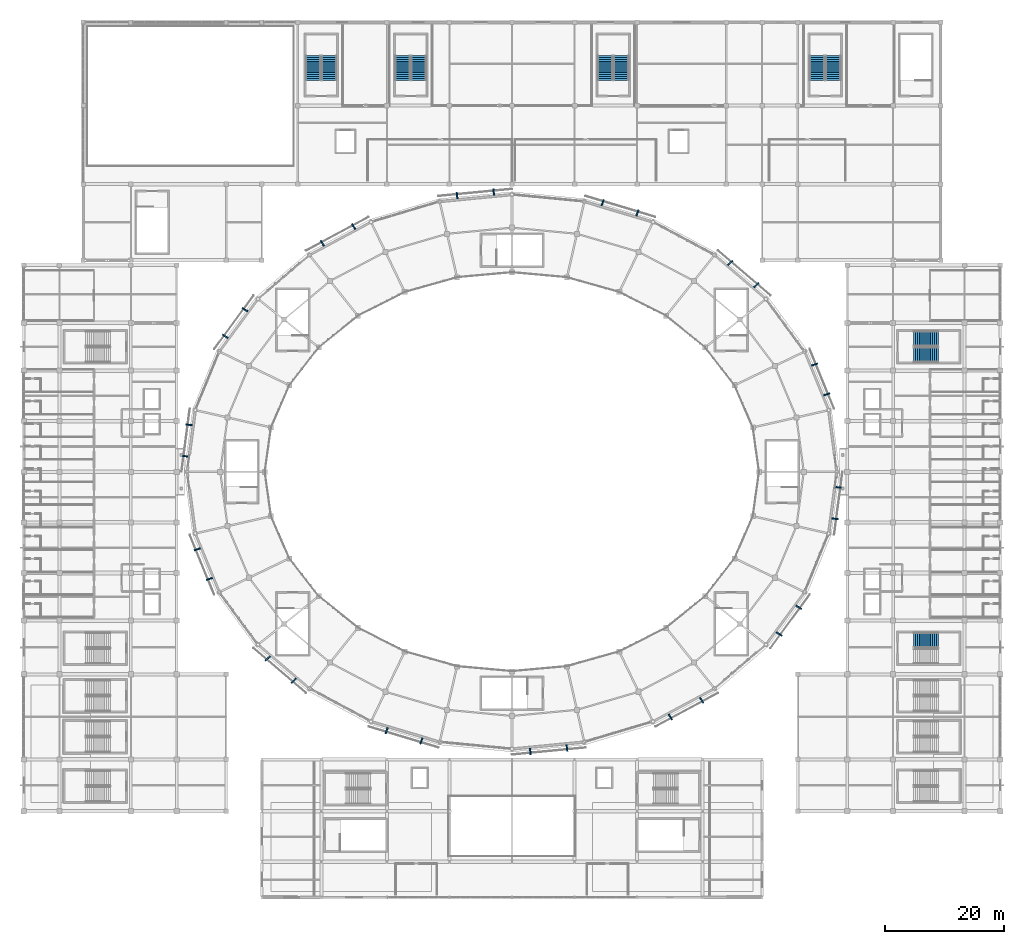
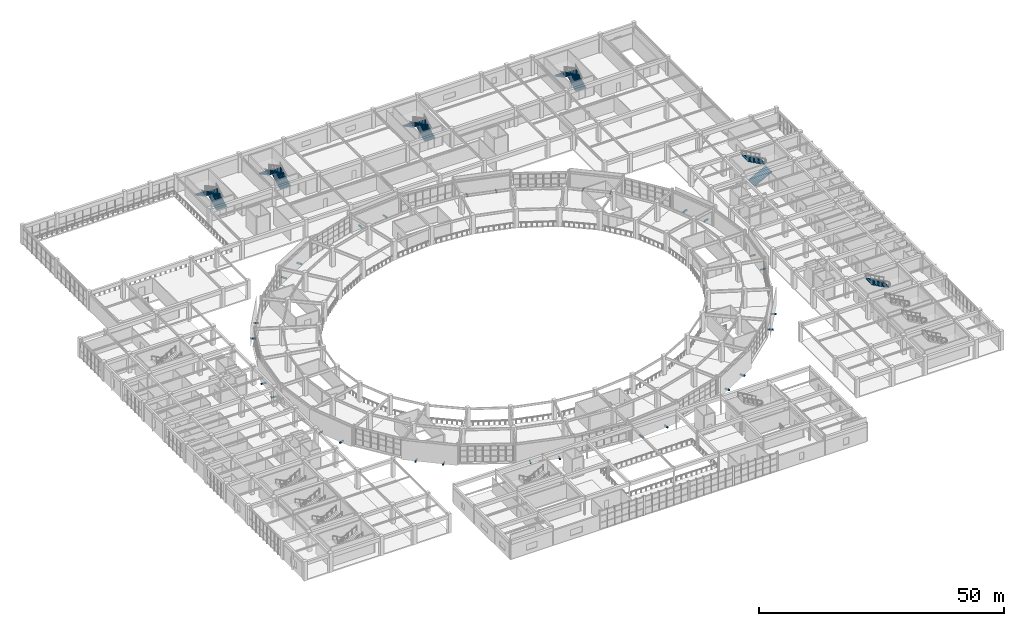
# One storey, part 94 of 112: 28 discrete accessories, 11 stair flights, 6 elements without a shape of their own.
"""IFC4 building model written with IfcOpenShell, lengths in metres."""

import ifcopenshell
import ifcopenshell.guid

model = None  # the IFC model being written
_history = None  # IfcOwnerHistory: only IFC2X3 demands one
_inside = {}  # id of a spatial element -> (the spatial element, [elements in it])
_under = {}  # id of a project, library or spatial element -> (it, [spatial elements below it])
_declared = {}  # id of a project -> (the project, [libraries it declares])
_typed = {}  # id of a type object -> (the type object, [elements of that type])
_made_of = {}  # id of a material, layer set ... -> (it, [elements and type objects made of it])


def new_model(schema):
    """Start an empty IFC model of exactly this schema.

    Asked for "IFC4X3", IfcOpenShell would pick the latest addendum, in which some entities
    have other attributes; the version numbers below select the first issue.
    IFC2X3 requires an IfcOwnerHistory on every rooted entity: one is made here for all.
    """
    global model, _history
    if schema == "IFC4X3":
        model = ifcopenshell.file(schema_version=(4, 3, 0, 0))
    else:
        model = ifcopenshell.file(schema=schema)
    _inside.clear()
    _under.clear()
    _declared.clear()
    _typed.clear()
    _made_of.clear()
    _history = None
    if model.schema == "IFC2X3":
        org = make("IfcOrganization", Name="unknown")
        user = make(
            "IfcPersonAndOrganization",
            ThePerson=make("IfcPerson", FamilyName="unknown"),
            TheOrganization=org,
        )
        app = make(
            "IfcApplication",
            ApplicationDeveloper=org,
            Version="unknown",
            ApplicationFullName="unknown",
            ApplicationIdentifier="unknown",
        )
        _history = make(
            "IfcOwnerHistory",
            OwningUser=user,
            OwningApplication=app,
            ChangeAction="ADDED",
            CreationDate=0,
        )
    return model


def make(cls, **values):
    """One entity of the class cls with the attributes given. An attribute that is None is left unset."""
    return model.create_entity(
        cls, **{name: value for name, value in values.items() if value is not None}
    )


def rooted(cls, **values):
    """An entity with a GlobalId (a new one), such as an element, a storey or a relation."""
    return make(cls, GlobalId=ifcopenshell.guid.new(), OwnerHistory=_history, **values)


def si_unit(unit_type, name, prefix=None):
    """IfcSIUnit, for example si_unit("LENGTHUNIT", "METRE", prefix="MILLI")."""
    return make("IfcSIUnit", UnitType=unit_type, Prefix=prefix, Name=name)


def assignment(units):
    """IfcUnitAssignment: the units of a project."""
    return None if units is None else make("IfcUnitAssignment", Units=units)


def point(xyz):
    """IfcCartesianPoint."""
    return None if xyz is None else make("IfcCartesianPoint", Coordinates=xyz)


def direction(xyz):
    """IfcDirection."""
    return None if xyz is None else make("IfcDirection", DirectionRatios=xyz)


def frame(location, z_axis=None, x_axis=None):
    """IfcAxis2Placement3D, a coordinate frame: its origin and axes. An axis left out is left unset."""
    return make(
        "IfcAxis2Placement3D",
        Location=point(location),
        Axis=direction(z_axis),
        RefDirection=direction(x_axis),
    )


def frame_2d(location, x_axis=None):
    """IfcAxis2Placement2D, a coordinate frame in the plane: its origin and x axis."""
    return make(
        "IfcAxis2Placement2D", Location=point(location), RefDirection=direction(x_axis)
    )


def origin():
    """The frame at (0, 0, 0) with its axes left unset."""
    return frame((0.0, 0.0, 0.0))


def origin_2d():
    """The frame at (0, 0) in the plane with its x axis left unset."""
    return frame_2d((0.0, 0.0))


def place(relative_to, where):
    """IfcLocalPlacement: puts the frame where relative to a parent placement (None: the world)."""
    return make(
        "IfcLocalPlacement", PlacementRelTo=relative_to, RelativePlacement=where
    )


def context(
    kind, dimensions, precision=None, world=None, true_north=None, identifier=None
):
    """IfcGeometricRepresentationContext, for example the 3D "Model" context."""
    return make(
        "IfcGeometricRepresentationContext",
        ContextIdentifier=identifier,
        ContextType=kind,
        CoordinateSpaceDimension=dimensions,
        Precision=precision,
        WorldCoordinateSystem=world,
        TrueNorth=true_north,
    )


def subcontext(parent, identifier, kind, view, scale=None):
    """IfcGeometricRepresentationSubContext, for example "Body" below "Model"."""
    return make(
        "IfcGeometricRepresentationSubContext",
        ContextIdentifier=identifier,
        ContextType=kind,
        ParentContext=parent,
        TargetScale=scale,
        TargetView=view,
    )


def project(units=None, contexts=None):
    """IfcProject with its units and contexts."""
    return rooted(
        "IfcProject",
        Name="project",
        RepresentationContexts=contexts,
        UnitsInContext=assignment(units),
    )


def spatial(cls, under=None, at=None, **own):
    """A site, building, storey or space (cls), placed at a placement, below another one or the project."""
    s = rooted(cls, ObjectPlacement=at, **own)
    if under is not None:
        _under.setdefault(under.id(), (under, []))[1].append(s)
    return s


def polyline(points):
    """IfcPolyline through the points."""
    return make("IfcPolyline", Points=[point(p) for p in points])


def profile(cls, at=None, kind="AREA", **sizes):
    """A parametric profile (cls). Its sizes go by their IFC names, for example OverallWidth=200.0."""
    return make(cls, ProfileType=kind, Position=at, **sizes)


def rectangle(**sizes):
    """IfcRectangleProfileDef."""
    return profile("IfcRectangleProfileDef", **sizes)


def outline(outer, holes=None, kind="AREA"):
    """IfcArbitraryClosedProfileDef: a profile drawn as a closed curve; with holes, ...WithVoids."""
    if holes is None:
        return make("IfcArbitraryClosedProfileDef", ProfileType=kind, OuterCurve=outer)
    return make(
        "IfcArbitraryProfileDefWithVoids",
        ProfileType=kind,
        OuterCurve=outer,
        InnerCurves=holes,
    )


def extrude(swept, where, along, depth):
    """IfcExtrudedAreaSolid: the profile swept, set in the frame where, extruded along a direction by depth."""
    return make(
        "IfcExtrudedAreaSolid",
        SweptArea=swept,
        Position=where,
        ExtrudedDirection=direction(along),
        Depth=depth,
    )


def shape(context_of_items, identifier, shape_type, items):
    """IfcShapeRepresentation: the items that make up one representation, for example the "Body"."""
    return make(
        "IfcShapeRepresentation",
        ContextOfItems=context_of_items,
        RepresentationIdentifier=identifier,
        RepresentationType=shape_type,
        Items=items,
    )


def material(Name=None, Category=None):
    """IfcMaterial."""
    return make("IfcMaterial", Name=Name, Category=Category)


def made_of(thing, what):
    """Note that an element or type object is made of a material, layer set ...; save() writes the relation."""
    if what is not None:
        _made_of.setdefault(what.id(), (what, []))[1].append(thing)
    return thing


def type_object(cls, material=None, **own):
    """A type object (cls), such as IfcWallType, which elements share."""
    return made_of(rooted(cls, **own), material)


def element(
    cls,
    number,
    at=None,
    inside=None,
    cuts=None,
    type_object=None,
    material=None,
    context=None,
    identifier="Body",
    shape_type=None,
    held_by="IfcProductDefinitionShape",
    body=None,
    shapes=None,
    **own,
):
    """One element of the class cls, such as IfcWall. Its Tag is "e" and its number.

    at: its placement. inside: the storey or other place that contains it. cuts: it is an
    opening in that element (IfcRelVoidsElement). A single representation is given by context,
    identifier, shape_type and body (its items); several are given by shapes. held_by: the class
    of the entity that holds the representations. save() writes the other relations.
    """
    e = rooted(cls, Tag="e%d" % number, ObjectPlacement=at, **own)
    if body is not None:
        shapes = [shape(context, identifier, shape_type, body)]
    if shapes is not None:
        e.Representation = make(held_by, Representations=shapes)
    if inside is not None:
        _inside.setdefault(inside.id(), (inside, []))[1].append(e)
    if cuts is not None:
        rooted(
            "IfcRelVoidsElement", RelatingBuildingElement=cuts, RelatedOpeningElement=e
        )
    if type_object is not None:
        _typed.setdefault(type_object.id(), (type_object, []))[1].append(e)
    return made_of(e, material)


def aggregate(whole, parts):
    """IfcRelAggregates: a whole, such as a stair, and the parts it consists of."""
    return rooted("IfcRelAggregates", RelatingObject=whole, RelatedObjects=parts)


def save(model, path):
    """Write the relations noted so far, then the file.

    IfcRelAggregates (storeys below a building ...), IfcRelContainedInSpatialStructure (elements
    in a storey), IfcRelDefinesByType, IfcRelAssociatesMaterial and IfcRelDeclares: one each for
    every whole, place, type object, material and project.
    """
    for whole, parts in _under.values():
        aggregate(whole, parts)
    for where, things in _inside.values():
        rooted(
            "IfcRelContainedInSpatialStructure",
            RelatedElements=things,
            RelatingStructure=where,
        )
    for kind, things in _typed.values():
        rooted("IfcRelDefinesByType", RelatedObjects=things, RelatingType=kind)
    for what, things in _made_of.values():
        rooted("IfcRelAssociatesMaterial", RelatedObjects=things, RelatingMaterial=what)
    for by, libraries in _declared.values():
        rooted("IfcRelDeclares", RelatingContext=by, RelatedDefinitions=libraries)
    model.write(path)


model = new_model("IFC4")

# Units and contexts
model_context = context("Model", 3, precision=1e-05, world=origin(), true_north=direction((0.0, 1.0)))
body_context = subcontext(model_context, "Body", "Model", "MODEL_VIEW")
ifc_project = project(units=[si_unit("LENGTHUNIT", "METRE"), si_unit("AREAUNIT", "SQUARE_METRE"), si_unit("VOLUMEUNIT", "CUBIC_METRE"), si_unit("PLANEANGLEUNIT", "RADIAN"), si_unit("MASSUNIT", "GRAM", prefix="KILO")], contexts=[model_context])

# Site, building, storey
site_placement = place(None, origin())
site = spatial("IfcSite", under=ifc_project, at=site_placement, CompositionType="ELEMENT")
building_placement = place(site_placement, origin())
building = spatial("IfcBuilding", under=site, at=building_placement, Name="Cuetzalor Civic Arena", CompositionType="ELEMENT")
storey_placement = place(building_placement, frame((0.0, 0.0, 11.39990234375)))
storey = spatial("IfcBuildingStorey", under=building, at=storey_placement, Name="L02", CompositionType="ELEMENT", Elevation=11.39990234375)

# Stair, stair flight
ifc_material_1 = material(Name="Precast concrete C40/50", Category="concrete")
stair_type = type_object("IfcStairType", Name="EnclosedExitStair_H480", PredefinedType="HALF_TURN_STAIR", material=ifc_material_1)
stair_1_placement = place(storey_placement, origin())
stair_1 = element("IfcStair", 1, at=stair_1_placement, inside=storey, type_object=stair_type, Name="L02 Enclosed Exit Stair ST-21", PredefinedType="HALF_TURN_STAIR")
ifc_material_2 = material(Name="Precast concrete C40/50", Category="concrete")
stair_flight_type = type_object("IfcStairFlightType", Name="ExitStairFlight_H480", PredefinedType="STRAIGHT", material=ifc_material_2)
stair_flight_1_placement = place(storey_placement, frame((71.583984375, -28.25, 2.400146484375), z_axis=(0.0, 0.0, 1.0), x_axis=(-1.0, 0.0, 0.0)))
stair_flight_1 = element("IfcStairFlight", 2, at=stair_flight_1_placement, type_object=stair_flight_type, Name="ST-21 flight 2", NumberOfRisers=14, NumberOfTreads=13, PredefinedType="STRAIGHT", RiserHeight=0.171428571, TreadLength=0.318, context=body_context, shape_type="SweptSolid", body=[
    extrude(outline(polyline([(0.0, 0.0), (0.0, 0.17138671875), (0.318115234375, 0.17138671875), (0.318115234375, 0.3427734375), (0.635986328125, 0.3427734375), (0.635986328125, 0.514404296875), (0.9541015625, 0.514404296875), (0.9541015625, 0.685791015625), (1.27197265625, 0.685791015625), (1.27197265625, 0.857177734375), (1.590087890625, 0.857177734375), (1.590087890625, 1.028564453125), (1.907958984375, 1.028564453125), (1.907958984375, 1.199951171875), (2.22607421875, 1.199951171875), (2.22607421875, 1.371337890625), (2.5439453125, 1.371337890625), (2.5439453125, 1.54296875), (2.862060546875, 1.54296875), (2.862060546875, 1.71435546875), (3.179931640625, 1.71435546875), (3.179931640625, 1.8857421875), (3.498046875, 1.8857421875), (3.498046875, 2.05712890625), (3.81591796875, 2.05712890625), (3.81591796875, 2.228515625), (4.134033203125, 2.228515625), (4.134033203125, 2.39990234375), (4.134033203125, 2.024169921875), (0.379150390625, 0.0), (0.0, 0.0)])), frame((0.0, 1.25, 0.0), z_axis=(0.0, -1.0, 0.0), x_axis=(1.0, 0.0, 0.0)), (0.0, 0.0, 1.0), 2.5),
])
aggregate(stair_1, [stair_flight_1])

# Stair, stair flights
stair_2_placement = place(storey_placement, origin())
stair_2 = element("IfcStair", 3, at=stair_2_placement, inside=storey, type_object=stair_type, Name="L02 Enclosed Exit Stair ST-22", PredefinedType="HALF_TURN_STAIR")
stair_flight_2_placement = place(storey_placement, frame((67.449951171875, 19.64990234375, 0.0), z_axis=(0.0, 0.0, 1.0), x_axis=(1.0, 0.0, 0.0)))
stair_flight_2 = element("IfcStairFlight", 4, at=stair_flight_2_placement, type_object=stair_flight_type, Name="ST-22 flight 1", NumberOfRisers=14, NumberOfTreads=13, PredefinedType="STRAIGHT", RiserHeight=0.171428571, TreadLength=0.318, context=body_context, shape_type="SweptSolid", body=[
    extrude(outline(polyline([(0.0, 0.0), (0.0, 0.17138671875), (0.318115234375, 0.17138671875), (0.318115234375, 0.3427734375), (0.635986328125, 0.3427734375), (0.635986328125, 0.514404296875), (0.9541015625, 0.514404296875), (0.9541015625, 0.685791015625), (1.27197265625, 0.685791015625), (1.27197265625, 0.857177734375), (1.590087890625, 0.857177734375), (1.590087890625, 1.028564453125), (1.907958984375, 1.028564453125), (1.907958984375, 1.199951171875), (2.22607421875, 1.199951171875), (2.22607421875, 1.371337890625), (2.5439453125, 1.371337890625), (2.5439453125, 1.54296875), (2.862060546875, 1.54296875), (2.862060546875, 1.71435546875), (3.179931640625, 1.71435546875), (3.179931640625, 1.8857421875), (3.498046875, 1.8857421875), (3.498046875, 2.05712890625), (3.81591796875, 2.05712890625), (3.81591796875, 2.228515625), (4.134033203125, 2.228515625), (4.134033203125, 2.39990234375), (4.134033203125, 2.024169921875), (0.379150390625, 0.0), (0.0, 0.0)])), frame((0.0, 1.25, 0.0), z_axis=(0.0, -1.0, 0.0), x_axis=(1.0, 0.0, 0.0)), (0.0, 0.0, 1.0), 2.5),
])
stair_flight_3_placement = place(storey_placement, frame((71.583984375, 22.35009765625, 2.400146484375), z_axis=(0.0, 0.0, 1.0), x_axis=(-1.0, 0.0, 0.0)))
stair_flight_3 = element("IfcStairFlight", 5, at=stair_flight_3_placement, type_object=stair_flight_type, Name="ST-22 flight 2", NumberOfRisers=14, NumberOfTreads=13, PredefinedType="STRAIGHT", RiserHeight=0.171428571, TreadLength=0.318, context=body_context, shape_type="SweptSolid", body=[
    extrude(outline(polyline([(0.0, 0.0), (0.0, 0.17138671875), (0.318115234375, 0.17138671875), (0.318115234375, 0.3427734375), (0.635986328125, 0.3427734375), (0.635986328125, 0.514404296875), (0.9541015625, 0.514404296875), (0.9541015625, 0.685791015625), (1.27197265625, 0.685791015625), (1.27197265625, 0.857177734375), (1.590087890625, 0.857177734375), (1.590087890625, 1.028564453125), (1.907958984375, 1.028564453125), (1.907958984375, 1.199951171875), (2.22607421875, 1.199951171875), (2.22607421875, 1.371337890625), (2.5439453125, 1.371337890625), (2.5439453125, 1.54296875), (2.862060546875, 1.54296875), (2.862060546875, 1.71435546875), (3.179931640625, 1.71435546875), (3.179931640625, 1.8857421875), (3.498046875, 1.8857421875), (3.498046875, 2.05712890625), (3.81591796875, 2.05712890625), (3.81591796875, 2.228515625), (4.134033203125, 2.228515625), (4.134033203125, 2.39990234375), (4.134033203125, 2.024169921875), (0.379150390625, 0.0), (0.0, 0.0)])), frame((0.0, 1.25, 0.0), z_axis=(0.0, -1.0, 0.0), x_axis=(1.0, 0.0, 0.0)), (0.0, 0.0, 1.0), 2.5),
])
aggregate(stair_2, [stair_flight_2, stair_flight_3])

stair_3_placement = place(storey_placement, origin())
stair_3 = element("IfcStair", 6, at=stair_3_placement, inside=storey, type_object=stair_type, Name="L02 Enclosed Exit Stair ST-24", PredefinedType="HALF_TURN_STAIR")
stair_flight_4_placement = place(storey_placement, frame((-30.64990234375, 65.75, 0.0), z_axis=(0.0, 0.0, 1.0), x_axis=(0.0, 1.0, 0.0)))
stair_flight_4 = element("IfcStairFlight", 7, at=stair_flight_4_placement, type_object=stair_flight_type, Name="ST-24 flight 1", NumberOfRisers=14, NumberOfTreads=13, PredefinedType="STRAIGHT", RiserHeight=0.171428571, TreadLength=0.318, context=body_context, shape_type="SweptSolid", body=[
    extrude(outline(polyline([(0.0, 0.0), (0.0, 0.17138671875), (0.318115234375, 0.17138671875), (0.318115234375, 0.3427734375), (0.635986328125, 0.3427734375), (0.635986328125, 0.514404296875), (0.9541015625, 0.514404296875), (0.9541015625, 0.685791015625), (1.27197265625, 0.685791015625), (1.27197265625, 0.857177734375), (1.590087890625, 0.857177734375), (1.590087890625, 1.028564453125), (1.907958984375, 1.028564453125), (1.907958984375, 1.199951171875), (2.22607421875, 1.199951171875), (2.22607421875, 1.371337890625), (2.5439453125, 1.371337890625), (2.5439453125, 1.54296875), (2.862060546875, 1.54296875), (2.862060546875, 1.71435546875), (3.179931640625, 1.71435546875), (3.179931640625, 1.8857421875), (3.498046875, 1.8857421875), (3.498046875, 2.05712890625), (3.81591796875, 2.05712890625), (3.81591796875, 2.228515625), (4.134033203125, 2.228515625), (4.134033203125, 2.39990234375), (4.134033203125, 2.024169921875), (0.379150390625, 0.0), (0.0, 0.0)])), frame((0.0, 1.25, 0.0), z_axis=(0.0, -1.0, 0.0), x_axis=(1.0, 0.0, 0.0)), (0.0, 0.0, 1.0), 2.5),
])
stair_flight_5_placement = place(storey_placement, frame((-33.35009765625, 69.884033203125, 2.400146484375), z_axis=(0.0, 0.0, 1.0), x_axis=(0.0, -1.0, 0.0)))
stair_flight_5 = element("IfcStairFlight", 8, at=stair_flight_5_placement, type_object=stair_flight_type, Name="ST-24 flight 2", NumberOfRisers=14, NumberOfTreads=13, PredefinedType="STRAIGHT", RiserHeight=0.171428571, TreadLength=0.318, context=body_context, shape_type="SweptSolid", body=[
    extrude(outline(polyline([(0.0, 0.0), (0.0, 0.17138671875), (0.318115234375, 0.17138671875), (0.318115234375, 0.3427734375), (0.635986328125, 0.3427734375), (0.635986328125, 0.514404296875), (0.9541015625, 0.514404296875), (0.9541015625, 0.685791015625), (1.27197265625, 0.685791015625), (1.27197265625, 0.857177734375), (1.590087890625, 0.857177734375), (1.590087890625, 1.028564453125), (1.907958984375, 1.028564453125), (1.907958984375, 1.199951171875), (2.22607421875, 1.199951171875), (2.22607421875, 1.371337890625), (2.5439453125, 1.371337890625), (2.5439453125, 1.54296875), (2.862060546875, 1.54296875), (2.862060546875, 1.71435546875), (3.179931640625, 1.71435546875), (3.179931640625, 1.8857421875), (3.498046875, 1.8857421875), (3.498046875, 2.05712890625), (3.81591796875, 2.05712890625), (3.81591796875, 2.228515625), (4.134033203125, 2.228515625), (4.134033203125, 2.39990234375), (4.134033203125, 2.024169921875), (0.379150390625, 0.0), (0.0, 0.0)])), frame((0.0, 1.25, 0.0), z_axis=(0.0, -1.0, 0.0), x_axis=(1.0, 0.0, 0.0)), (0.0, 0.0, 1.0), 2.5),
])
aggregate(stair_3, [stair_flight_4, stair_flight_5])

stair_4_placement = place(storey_placement, origin())
stair_4 = element("IfcStair", 9, at=stair_4_placement, inside=storey, type_object=stair_type, Name="L02 Enclosed Exit Stair ST-25", PredefinedType="HALF_TURN_STAIR")
stair_flight_6_placement = place(storey_placement, frame((-15.64990234375, 65.75, 0.0), z_axis=(0.0, 0.0, 1.0), x_axis=(0.0, 1.0, 0.0)))
stair_flight_6 = element("IfcStairFlight", 10, at=stair_flight_6_placement, type_object=stair_flight_type, Name="ST-25 flight 1", NumberOfRisers=14, NumberOfTreads=13, PredefinedType="STRAIGHT", RiserHeight=0.171428571, TreadLength=0.318, context=body_context, shape_type="SweptSolid", body=[
    extrude(outline(polyline([(0.0, 0.0), (0.0, 0.17138671875), (0.318115234375, 0.17138671875), (0.318115234375, 0.3427734375), (0.635986328125, 0.3427734375), (0.635986328125, 0.514404296875), (0.9541015625, 0.514404296875), (0.9541015625, 0.685791015625), (1.27197265625, 0.685791015625), (1.27197265625, 0.857177734375), (1.590087890625, 0.857177734375), (1.590087890625, 1.028564453125), (1.907958984375, 1.028564453125), (1.907958984375, 1.199951171875), (2.22607421875, 1.199951171875), (2.22607421875, 1.371337890625), (2.5439453125, 1.371337890625), (2.5439453125, 1.54296875), (2.862060546875, 1.54296875), (2.862060546875, 1.71435546875), (3.179931640625, 1.71435546875), (3.179931640625, 1.8857421875), (3.498046875, 1.8857421875), (3.498046875, 2.05712890625), (3.81591796875, 2.05712890625), (3.81591796875, 2.228515625), (4.134033203125, 2.228515625), (4.134033203125, 2.39990234375), (4.134033203125, 2.024169921875), (0.379150390625, 0.0), (0.0, 0.0)])), frame((0.0, 1.25, 0.0), z_axis=(0.0, -1.0, 0.0), x_axis=(1.0, 0.0, 0.0)), (0.0, 0.0, 1.0), 2.5),
])
stair_flight_7_placement = place(storey_placement, frame((-18.35009765625, 69.884033203125, 2.400146484375), z_axis=(0.0, 0.0, 1.0), x_axis=(0.0, -1.0, 0.0)))
stair_flight_7 = element("IfcStairFlight", 11, at=stair_flight_7_placement, type_object=stair_flight_type, Name="ST-25 flight 2", NumberOfRisers=14, NumberOfTreads=13, PredefinedType="STRAIGHT", RiserHeight=0.171428571, TreadLength=0.318, context=body_context, shape_type="SweptSolid", body=[
    extrude(outline(polyline([(0.0, 0.0), (0.0, 0.17138671875), (0.318115234375, 0.17138671875), (0.318115234375, 0.3427734375), (0.635986328125, 0.3427734375), (0.635986328125, 0.514404296875), (0.9541015625, 0.514404296875), (0.9541015625, 0.685791015625), (1.27197265625, 0.685791015625), (1.27197265625, 0.857177734375), (1.590087890625, 0.857177734375), (1.590087890625, 1.028564453125), (1.907958984375, 1.028564453125), (1.907958984375, 1.199951171875), (2.22607421875, 1.199951171875), (2.22607421875, 1.371337890625), (2.5439453125, 1.371337890625), (2.5439453125, 1.54296875), (2.862060546875, 1.54296875), (2.862060546875, 1.71435546875), (3.179931640625, 1.71435546875), (3.179931640625, 1.8857421875), (3.498046875, 1.8857421875), (3.498046875, 2.05712890625), (3.81591796875, 2.05712890625), (3.81591796875, 2.228515625), (4.134033203125, 2.228515625), (4.134033203125, 2.39990234375), (4.134033203125, 2.024169921875), (0.379150390625, 0.0), (0.0, 0.0)])), frame((0.0, 1.25, 0.0), z_axis=(0.0, -1.0, 0.0), x_axis=(1.0, 0.0, 0.0)), (0.0, 0.0, 1.0), 2.5),
])
aggregate(stair_4, [stair_flight_6, stair_flight_7])

stair_5_placement = place(storey_placement, origin())
stair_5 = element("IfcStair", 12, at=stair_5_placement, inside=storey, type_object=stair_type, Name="L02 Enclosed Exit Stair ST-26", PredefinedType="HALF_TURN_STAIR")
stair_flight_8_placement = place(storey_placement, frame((18.35009765625, 65.75, 0.0), z_axis=(0.0, 0.0, 1.0), x_axis=(0.0, 1.0, 0.0)))
stair_flight_8 = element("IfcStairFlight", 13, at=stair_flight_8_placement, type_object=stair_flight_type, Name="ST-26 flight 1", NumberOfRisers=14, NumberOfTreads=13, PredefinedType="STRAIGHT", RiserHeight=0.171428571, TreadLength=0.318, context=body_context, shape_type="SweptSolid", body=[
    extrude(outline(polyline([(0.0, 0.0), (0.0, 0.17138671875), (0.318115234375, 0.17138671875), (0.318115234375, 0.3427734375), (0.635986328125, 0.3427734375), (0.635986328125, 0.514404296875), (0.9541015625, 0.514404296875), (0.9541015625, 0.685791015625), (1.27197265625, 0.685791015625), (1.27197265625, 0.857177734375), (1.590087890625, 0.857177734375), (1.590087890625, 1.028564453125), (1.907958984375, 1.028564453125), (1.907958984375, 1.199951171875), (2.22607421875, 1.199951171875), (2.22607421875, 1.371337890625), (2.5439453125, 1.371337890625), (2.5439453125, 1.54296875), (2.862060546875, 1.54296875), (2.862060546875, 1.71435546875), (3.179931640625, 1.71435546875), (3.179931640625, 1.8857421875), (3.498046875, 1.8857421875), (3.498046875, 2.05712890625), (3.81591796875, 2.05712890625), (3.81591796875, 2.228515625), (4.134033203125, 2.228515625), (4.134033203125, 2.39990234375), (4.134033203125, 2.024169921875), (0.379150390625, 0.0), (0.0, 0.0)])), frame((0.0, 1.25, 0.0), z_axis=(0.0, -1.0, 0.0), x_axis=(1.0, 0.0, 0.0)), (0.0, 0.0, 1.0), 2.5),
])
stair_flight_9_placement = place(storey_placement, frame((15.64990234375, 69.884033203125, 2.400146484375), z_axis=(0.0, 0.0, 1.0), x_axis=(0.0, -1.0, 0.0)))
stair_flight_9 = element("IfcStairFlight", 14, at=stair_flight_9_placement, type_object=stair_flight_type, Name="ST-26 flight 2", NumberOfRisers=14, NumberOfTreads=13, PredefinedType="STRAIGHT", RiserHeight=0.171428571, TreadLength=0.318, context=body_context, shape_type="SweptSolid", body=[
    extrude(outline(polyline([(0.0, 0.0), (0.0, 0.17138671875), (0.318115234375, 0.17138671875), (0.318115234375, 0.3427734375), (0.635986328125, 0.3427734375), (0.635986328125, 0.514404296875), (0.9541015625, 0.514404296875), (0.9541015625, 0.685791015625), (1.27197265625, 0.685791015625), (1.27197265625, 0.857177734375), (1.590087890625, 0.857177734375), (1.590087890625, 1.028564453125), (1.907958984375, 1.028564453125), (1.907958984375, 1.199951171875), (2.22607421875, 1.199951171875), (2.22607421875, 1.371337890625), (2.5439453125, 1.371337890625), (2.5439453125, 1.54296875), (2.862060546875, 1.54296875), (2.862060546875, 1.71435546875), (3.179931640625, 1.71435546875), (3.179931640625, 1.8857421875), (3.498046875, 1.8857421875), (3.498046875, 2.05712890625), (3.81591796875, 2.05712890625), (3.81591796875, 2.228515625), (4.134033203125, 2.228515625), (4.134033203125, 2.39990234375), (4.134033203125, 2.024169921875), (0.379150390625, 0.0), (0.0, 0.0)])), frame((0.0, 1.25, 0.0), z_axis=(0.0, -1.0, 0.0), x_axis=(1.0, 0.0, 0.0)), (0.0, 0.0, 1.0), 2.5),
])
aggregate(stair_5, [stair_flight_8, stair_flight_9])

stair_6_placement = place(storey_placement, origin())
stair_6 = element("IfcStair", 15, at=stair_6_placement, inside=storey, type_object=stair_type, Name="L02 Enclosed Exit Stair ST-27", PredefinedType="HALF_TURN_STAIR")
stair_flight_10_placement = place(storey_placement, frame((53.949951171875, 65.75, 0.0), z_axis=(0.0, 0.0, 1.0), x_axis=(0.0, 1.0, 0.0)))
stair_flight_10 = element("IfcStairFlight", 16, at=stair_flight_10_placement, type_object=stair_flight_type, Name="ST-27 flight 1", NumberOfRisers=14, NumberOfTreads=13, PredefinedType="STRAIGHT", RiserHeight=0.171428571, TreadLength=0.318, context=body_context, shape_type="SweptSolid", body=[
    extrude(outline(polyline([(0.0, 0.0), (0.0, 0.17138671875), (0.318115234375, 0.17138671875), (0.318115234375, 0.3427734375), (0.635986328125, 0.3427734375), (0.635986328125, 0.514404296875), (0.9541015625, 0.514404296875), (0.9541015625, 0.685791015625), (1.27197265625, 0.685791015625), (1.27197265625, 0.857177734375), (1.590087890625, 0.857177734375), (1.590087890625, 1.028564453125), (1.907958984375, 1.028564453125), (1.907958984375, 1.199951171875), (2.22607421875, 1.199951171875), (2.22607421875, 1.371337890625), (2.5439453125, 1.371337890625), (2.5439453125, 1.54296875), (2.862060546875, 1.54296875), (2.862060546875, 1.71435546875), (3.179931640625, 1.71435546875), (3.179931640625, 1.8857421875), (3.498046875, 1.8857421875), (3.498046875, 2.05712890625), (3.81591796875, 2.05712890625), (3.81591796875, 2.228515625), (4.134033203125, 2.228515625), (4.134033203125, 2.39990234375), (4.134033203125, 2.024169921875), (0.379150390625, 0.0), (0.0, 0.0)])), frame((0.0, 1.25, 0.0), z_axis=(0.0, -1.0, 0.0), x_axis=(1.0, 0.0, 0.0)), (0.0, 0.0, 1.0), 2.5),
])
stair_flight_11_placement = place(storey_placement, frame((51.25, 69.884033203125, 2.400146484375), z_axis=(0.0, 0.0, 1.0), x_axis=(0.0, -1.0, 0.0)))
stair_flight_11 = element("IfcStairFlight", 17, at=stair_flight_11_placement, type_object=stair_flight_type, Name="ST-27 flight 2", NumberOfRisers=14, NumberOfTreads=13, PredefinedType="STRAIGHT", RiserHeight=0.171428571, TreadLength=0.318, context=body_context, shape_type="SweptSolid", body=[
    extrude(outline(polyline([(0.0, 0.0), (0.0, 0.17138671875), (0.318115234375, 0.17138671875), (0.318115234375, 0.3427734375), (0.635986328125, 0.3427734375), (0.635986328125, 0.514404296875), (0.9541015625, 0.514404296875), (0.9541015625, 0.685791015625), (1.27197265625, 0.685791015625), (1.27197265625, 0.857177734375), (1.590087890625, 0.857177734375), (1.590087890625, 1.028564453125), (1.907958984375, 1.028564453125), (1.907958984375, 1.199951171875), (2.22607421875, 1.199951171875), (2.22607421875, 1.371337890625), (2.5439453125, 1.371337890625), (2.5439453125, 1.54296875), (2.862060546875, 1.54296875), (2.862060546875, 1.71435546875), (3.179931640625, 1.71435546875), (3.179931640625, 1.8857421875), (3.498046875, 1.8857421875), (3.498046875, 2.05712890625), (3.81591796875, 2.05712890625), (3.81591796875, 2.228515625), (4.134033203125, 2.228515625), (4.134033203125, 2.39990234375), (4.134033203125, 2.024169921875), (0.379150390625, 0.0), (0.0, 0.0)])), frame((0.0, 1.25, 0.0), z_axis=(0.0, -1.0, 0.0), x_axis=(1.0, 0.0, 0.0)), (0.0, 0.0, 1.0), 2.5),
])
aggregate(stair_6, [stair_flight_10, stair_flight_11])

# Discrete accessories
ifc_material_3 = material(Name="Steel S355", Category="steel")
discrete_accessory_type = type_object("IfcDiscreteAccessoryType", Name="ScreenOutriggerBracket_S355", PredefinedType="BRACKET", material=ifc_material_3)
for number, where, z_axis, x_axis, name in (
    (18, (50.822998046875, 18.013916015625, -0.27001953125), (0.0, 0.0, 1.0), (0.943858622852, 0.330349663339, 0.0), "Drum Screen Outrigger Bracket L02-0012"),
    (19, (52.8671875, 13.017578125, -0.27001953125), (0.0, 0.0, 1.0), (0.943858622852, 0.330349663339, 0.0), "Drum Screen Outrigger Bracket L02-0013"),
    (20, (36.651611328125, 35.089599609375, -0.27001953125), (0.0, 0.0, 1.0), (0.707106781187, 0.707106781187, 0.0), "Drum Screen Outrigger Bracket L02-0032"),
    (21, (41.027587890625, 31.346923828125, -0.27001953125), (0.0, 0.0, 1.0), (0.707106781187, 0.707106781187, 0.0), "Drum Screen Outrigger Bracket L02-0033"),
    (22, (15.220703125, 45.215576171875, -0.27001953125), (0.0, 0.0, 1.0), (0.330184923902, 0.943916265369, 0.0), "Drum Screen Outrigger Bracket L02-0052"),
    (23, (21.06201171875, 43.46728515625, -0.27001953125), (0.0, 0.0, 1.0), (0.330184923902, 0.943916265369, 0.0), "Drum Screen Outrigger Bracket L02-0053"),
    (24, (-9.224853515625, 46.385986328125, -0.27001953125), (0.0, 0.0, 1.0), (-0.111989252568, 0.993709417943, 0.0), "Drum Screen Outrigger Bracket L02-0072"),
    (25, (-3.074951171875, 46.978759765625, -0.27001953125), (0.0, 0.0, 1.0), (-0.111989252568, 0.993709417943, 0.0), "Drum Screen Outrigger Bracket L02-0073"),
    (26, (-31.84326171875, 38.369140625, -0.27001953125), (0.0, 0.0, 1.0), (-0.531989852639, 0.84675072878, 0.0), "Drum Screen Outrigger Bracket L02-0092"),
    (27, (-26.60302734375, 41.185302734375, -0.27001953125), (0.0, 0.0, 1.0), (-0.531989852639, 0.84675072878, 0.0), "Drum Screen Outrigger Bracket L02-0093"),
    (28, (-48.15478515625, 22.752685546875, -0.27001953125), (0.0, 0.0, 1.0), (-0.846657866138, 0.532137630417, 0.0), "Drum Screen Outrigger Bracket L02-0112"),
    (29, (-44.862060546875, 27.234619140625, -0.27001953125), (0.0, 0.0, 1.0), (-0.846657866138, 0.532137630417, 0.0), "Drum Screen Outrigger Bracket L02-0113"),
    (30, (-54.928466796875, 2.6298828125, -0.27001953125), (0.0, 0.0, 1.0), (-0.993709417943, 0.111989252568, 0.0), "Drum Screen Outrigger Bracket L02-0132"),
    (31, (-54.235595703125, 7.8896484375, -0.27001953125), (0.0, 0.0, 1.0), (-0.993709417943, 0.111989252568, 0.0), "Drum Screen Outrigger Bracket L02-0133"),
    (32, (-50.822998046875, -18.013916015625, -0.27001953125), (0.0, 0.0, 1.0), (-0.943858622852, -0.330349663339, 0.0), "Drum Screen Outrigger Bracket L02-0152"),
    (33, (-52.8671875, -13.017578125, -0.27001953125), (0.0, 0.0, 1.0), (-0.943858622852, -0.330349663339, 0.0), "Drum Screen Outrigger Bracket L02-0153"),
    (34, (-36.651611328125, -35.089599609375, -0.27001953125), (0.0, 0.0, 1.0), (-0.707106781187, -0.707106781187, 0.0), "Drum Screen Outrigger Bracket L02-0172"),
    (35, (-41.027587890625, -31.346923828125, -0.27001953125), (0.0, 0.0, 1.0), (-0.707106781187, -0.707106781187, 0.0), "Drum Screen Outrigger Bracket L02-0173"),
    (36, (-15.220703125, -45.215576171875, -0.27001953125), (0.0, 0.0, 1.0), (-0.330184923902, -0.943916265369, 0.0), "Drum Screen Outrigger Bracket L02-0192"),
    (37, (-21.06201171875, -43.46728515625, -0.27001953125), (0.0, 0.0, 1.0), (-0.330184923902, -0.943916265369, 0.0), "Drum Screen Outrigger Bracket L02-0193"),
    (38, (9.224853515625, -46.385986328125, -0.27001953125), (0.0, 0.0, 1.0), (0.111989252568, -0.993709417943, 0.0), "Drum Screen Outrigger Bracket L02-0212"),
    (39, (3.074951171875, -46.978759765625, -0.27001953125), (0.0, 0.0, 1.0), (0.111989252568, -0.993709417943, 0.0), "Drum Screen Outrigger Bracket L02-0213"),
    (40, (31.84326171875, -38.369140625, -0.27001953125), (0.0, 0.0, 1.0), (0.531989852639, -0.84675072878, 0.0), "Drum Screen Outrigger Bracket L02-0232"),
    (41, (26.60302734375, -41.185302734375, -0.27001953125), (0.0, 0.0, 1.0), (0.531989852639, -0.84675072878, 0.0), "Drum Screen Outrigger Bracket L02-0233"),
    (42, (48.15478515625, -22.752685546875, -0.27001953125), (0.0, 0.0, 1.0), (0.846657866138, -0.532137630417, 0.0), "Drum Screen Outrigger Bracket L02-0252"),
    (43, (44.862060546875, -27.234619140625, -0.27001953125), (0.0, 0.0, 1.0), (0.846657866138, -0.532137630417, 0.0), "Drum Screen Outrigger Bracket L02-0253"),
    (44, (54.928466796875, -2.6298828125, -0.27001953125), (0.0, 0.0, 1.0), (0.993709417943, -0.111989252568, 0.0), "Drum Screen Outrigger Bracket L02-0272"),
    (45, (54.235595703125, -7.8896484375, -0.27001953125), (0.0, 0.0, 1.0), (0.993709417943, -0.111989252568, 0.0), "Drum Screen Outrigger Bracket L02-0273"),
):
    element("IfcDiscreteAccessory", number, at=place(storey_placement, frame(where, z_axis=z_axis, x_axis=x_axis)), inside=storey, type_object=discrete_accessory_type, Name=name, PredefinedType="BRACKET", context=body_context, shape_type="SweptSolid", body=[
        extrude(rectangle(XDim=1.10009765625, YDim=0.239990234375, at=origin_2d()), origin(), (0.0, 0.0, 1.0), 0.260009765625),
    ])

save(model, "model.ifc")
